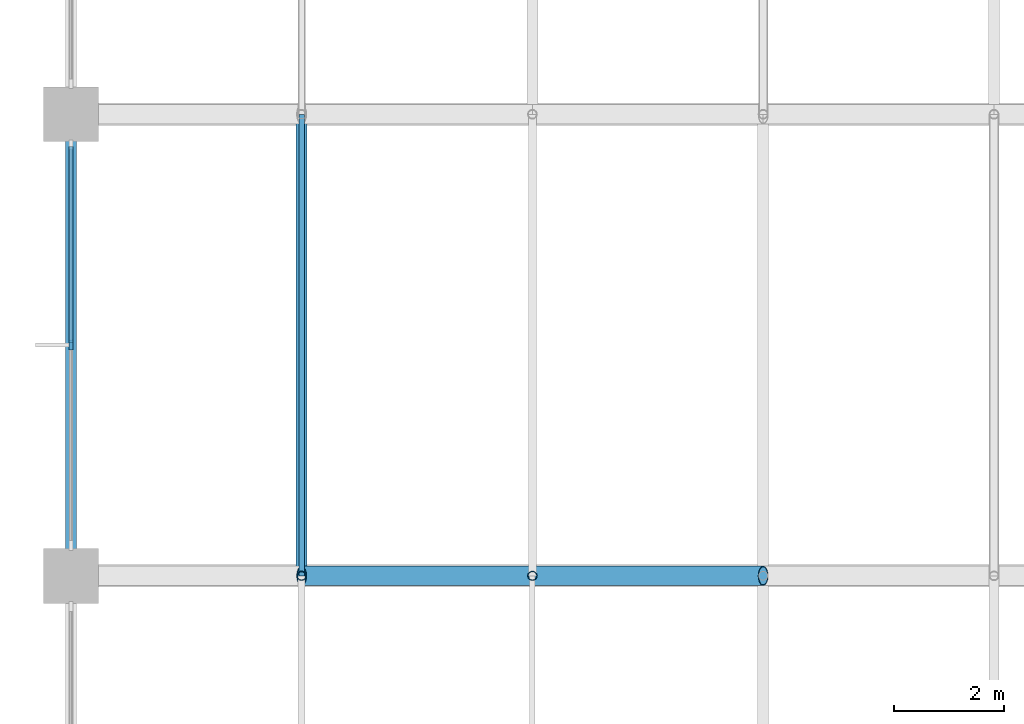
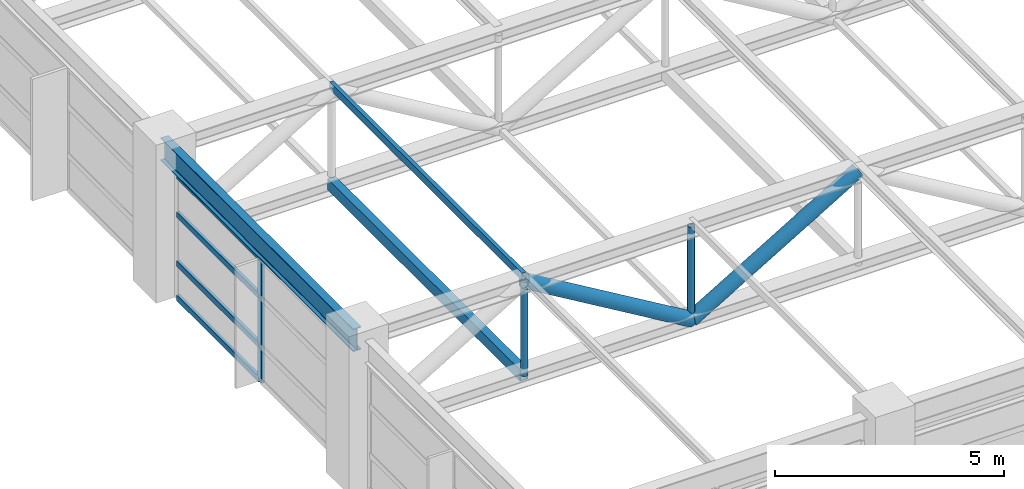
# One storey, part 7 of 32: 11 members, 1 beam, 1 element without a shape of its own.
"""IFC4 building model written with IfcOpenShell, lengths in metres."""

from ifc_helpers import new_model, si_unit, direction, frame, origin, origin_2d, place, context, subcontext, project, spatial, rectangle, hollow_rectangle, hollow_circle, i_section, extrude, material, material_profile, profile_set, type_object, element, aggregate, save


model = new_model("IFC4")

# Units and contexts
model_context = context("Model", 3, precision=1e-05, world=origin(), true_north=direction((0.0, 1.0)))
body_context = subcontext(model_context, "Body", "Model", "MODEL_VIEW")
ifc_project = project(units=[si_unit("LENGTHUNIT", "METRE"), si_unit("AREAUNIT", "SQUARE_METRE"), si_unit("VOLUMEUNIT", "CUBIC_METRE"), si_unit("PLANEANGLEUNIT", "RADIAN"), si_unit("MASSUNIT", "GRAM", prefix="KILO")], contexts=[model_context])

# Site, building, storey
site_placement = place(None, origin())
site = spatial("IfcSite", under=ifc_project, at=site_placement, CompositionType="ELEMENT")
building_placement = place(site_placement, origin())
building = spatial("IfcBuilding", under=site, at=building_placement, Name="Xuanlan Plaza Opera House", CompositionType="ELEMENT")
storey_placement = place(building_placement, frame((0.0, 0.0, 40.5)))
storey = spatial("IfcBuildingStorey", under=building, at=storey_placement, Name="L09", CompositionType="ELEMENT", Elevation=40.5)

# Curtain wall, members
ifc_material_1 = material(Name="Anodised Aluminium 6063-T6 and Low-E Glass", Category="aluminium")
curtain_wall_type = type_object("IfcCurtainWallType", Name="ENV-CW-CW-05", PredefinedType="USERDEFINED", material=ifc_material_1)
curtain_wall_placement = place(storey_placement, origin())
curtain_wall = element("IfcCurtainWall", 1, at=curtain_wall_placement, inside=storey, type_object=curtain_wall_type, Name="Acoustic Glazed Wall FLY-L09-13", ObjectType="ACOUSTIC GLAZED WALL", PredefinedType="USERDEFINED")
ifc_material_2 = material(Name="Anodised Aluminium 6063-T6", Category="aluminium")
ifc_material_profile_1 = material_profile(ifc_material_2, rectangle(XDim=0.070068359375, YDim=0.179931640625, at=origin_2d()), Name="ALU-M 70x180")
ifc_profile_set_1 = profile_set([ifc_material_profile_1], Name="Anodised Aluminium 6063-T6")
member_type_1 = type_object("IfcMemberType", Name="ENV-CWM-02", PredefinedType="MULLION", material=ifc_profile_set_1)
member_1_placement = place(storey_placement, frame((42.0, 54.60009765625, 0.0), z_axis=(0.0, 0.0, 1.0), x_axis=(1.0, 0.0, 0.0)))
member_1 = element("IfcMember", 2, at=member_1_placement, type_object=member_type_1, Name="CW-05 mullion 2", PredefinedType="MULLION", context=body_context, shape_type="SweptSolid", body=[
    extrude(rectangle(XDim=0.070068359375, YDim=0.179931640625, at=origin_2d()), origin(), (0.0, 0.0, 1.0), 3.320068359375),
])
ifc_material_profile_2 = material_profile(ifc_material_2, rectangle(XDim=0.074951171875, YDim=0.14990234375, at=origin_2d()), Name="ALU-T 75x150")
ifc_profile_set_2 = profile_set([ifc_material_profile_2], Name="Anodised Aluminium 6063-T6")
member_type_2 = type_object("IfcMemberType", Name="ENV-CWT-03", PredefinedType="USERDEFINED", material=ifc_profile_set_2)
member_2_placement = place(storey_placement, frame((42.0, 58.2099609375, 0.03759765625), z_axis=(0.0, -1.0, 0.0), x_axis=(1.0, 0.0, 0.0)))
member_2 = element("IfcMember", 3, at=member_2_placement, type_object=member_type_2, Name="CW-05 transom 1.1", ObjectType="TRANSOM", PredefinedType="USERDEFINED", context=body_context, shape_type="SweptSolid", body=[
    extrude(rectangle(XDim=0.074951171875, YDim=0.14990234375, at=origin_2d()), origin(), (0.0, 0.0, 1.0), 3.574951171875),
])
member_3_placement = place(storey_placement, frame((42.0, 58.2099609375, 0.949951171875), z_axis=(0.0, -1.0, 0.0), x_axis=(1.0, 0.0, 0.0)))
member_3 = element("IfcMember", 4, at=member_3_placement, type_object=member_type_2, Name="CW-05 transom 1.2", ObjectType="TRANSOM", PredefinedType="USERDEFINED", context=body_context, shape_type="SweptSolid", body=[
    extrude(rectangle(XDim=0.074951171875, YDim=0.14990234375, at=origin_2d()), origin(), (0.0, 0.0, 1.0), 3.574951171875),
])
member_4_placement = place(storey_placement, frame((42.0, 58.2099609375, 2.25), z_axis=(0.0, -1.0, 0.0), x_axis=(1.0, 0.0, 0.0)))
member_4 = element("IfcMember", 5, at=member_4_placement, type_object=member_type_2, Name="CW-05 transom 1.3", ObjectType="TRANSOM", PredefinedType="USERDEFINED", context=body_context, shape_type="SweptSolid", body=[
    extrude(rectangle(XDim=0.074951171875, YDim=0.14990234375, at=origin_2d()), origin(), (0.0, 0.0, 1.0), 3.574951171875),
])
member_5_placement = place(storey_placement, frame((42.0, 58.2099609375, 3.282470703125), z_axis=(0.0, -1.0, 0.0), x_axis=(1.0, 0.0, 0.0)))
member_5 = element("IfcMember", 6, at=member_5_placement, type_object=member_type_2, Name="CW-05 transom 1.4", ObjectType="TRANSOM", PredefinedType="USERDEFINED", context=body_context, shape_type="SweptSolid", body=[
    extrude(rectangle(XDim=0.074951171875, YDim=0.14990234375, at=origin_2d()), origin(), (0.0, 0.0, 1.0), 3.574951171875),
])
aggregate(curtain_wall, [member_1, member_2, member_3, member_4, member_5])

# Beam
ifc_material_3 = material(Name="Steel Q355B", Category="steel")
ifc_material_profile_3 = material_profile(ifc_material_3, i_section(OverallWidth=0.199951171875, OverallDepth=0.60009765625, WebThickness=0.010986328125, FlangeThickness=0.01708984375, FilletRadius=0.02197265625, at=origin_2d()), Name="HN 600x200x11x17")
ifc_profile_set_3 = profile_set([ifc_material_profile_3], Name="Steel Q355B")
beam_type = type_object("IfcBeamType", Name="STR-BM-SB-04", PredefinedType="BEAM", material=ifc_profile_set_3)
beam_placement = place(storey_placement, frame((42.0, 50.39990234375, 3.659912109375), z_axis=(0.0, 1.0, 0.0), x_axis=(-1.0, 0.0, 0.0)))
element("IfcBeam", 7, at=beam_placement, inside=storey, type_object=beam_type, Name="Fly Tower Ring Beam Y L09 6/G-H", PredefinedType="BEAM", context=body_context, shape_type="SweptSolid", body=[
    extrude(i_section(OverallWidth=0.199951171875, OverallDepth=0.60009765625, WebThickness=0.010986328125, FlangeThickness=0.01708984375, FilletRadius=0.02197265625, at=origin_2d()), origin(), (0.0, 0.0, 1.0), 8.400146484375),
])

# Members
ifc_material_profile_4 = material_profile(ifc_material_3, hollow_circle(Radius=0.177734375, WallThickness=0.01611328125, at=origin_2d()), Name="CHS 355.6x16")
ifc_profile_set_4 = profile_set([ifc_material_profile_4], Name="Steel Q355B")
member_type_3 = type_object("IfcMemberType", Name="STR-MEM-BR-02", PredefinedType="BRACE", material=ifc_profile_set_4)
member_6_placement = place(storey_placement, frame((46.199951171875, 50.39990234375, 3.751953125), z_axis=(0.859290270856, 0.0, -0.511488250512), x_axis=(0.0, 1.0, 0.0)))
element("IfcMember", 8, at=member_6_placement, inside=storey, type_object=member_type_3, Name="Stage Roof Truss STG-01 Web Diagonal 2", PredefinedType="BRACE", context=body_context, shape_type="SweptSolid", body=[
    extrude(hollow_circle(Radius=0.177734375, WallThickness=0.01611328125, at=origin_2d()), origin(), (0.0, 0.0, 1.0), 4.8876953125),
])
member_7_placement = place(storey_placement, frame((50.39990234375, 50.39990234375, 1.251953125), z_axis=(0.859303337952, 0.0, 0.511466297409), x_axis=(0.0, 1.0, 0.0)))
element("IfcMember", 9, at=member_7_placement, inside=storey, type_object=member_type_3, Name="Stage Roof Truss STG-01 Web Diagonal 3", PredefinedType="BRACE", context=body_context, shape_type="SweptSolid", body=[
    extrude(hollow_circle(Radius=0.177734375, WallThickness=0.01611328125, at=origin_2d()), origin(), (0.0, 0.0, 1.0), 4.887939453125),
])
ifc_material_profile_5 = material_profile(ifc_material_3, hollow_rectangle(XDim=0.199951171875, YDim=0.300048828125, WallThickness=0.011962890625, at=origin_2d()), Name="RHS 300x200x12")
ifc_profile_set_5 = profile_set([ifc_material_profile_5], Name="Steel Q355B")
member_type_4 = type_object("IfcMemberType", Name="STR-MEM-CL-M1", PredefinedType="COLLAR", material=ifc_profile_set_5)
member_8_placement = place(storey_placement, frame((46.199951171875, 50.39990234375, 1.251953125), z_axis=(0.0, 1.0, 0.0), x_axis=(-1.0, 0.0, 0.0)))
element("IfcMember", 10, at=member_8_placement, inside=storey, type_object=member_type_4, Name="Stage Truss Collar Tie 1-2", PredefinedType="COLLAR", context=body_context, shape_type="SweptSolid", body=[
    extrude(hollow_rectangle(XDim=0.199951171875, YDim=0.300048828125, WallThickness=0.011962890625, at=origin_2d()), origin(), (0.0, 0.0, 1.0), 8.400146484375),
])
ifc_material_profile_6 = material_profile(ifc_material_3, hollow_rectangle(XDim=0.10009765625, YDim=0.199951171875, WallThickness=0.008056640625, at=origin_2d()), Name="RHS 200x100x8")
ifc_profile_set_6 = profile_set([ifc_material_profile_6], Name="Steel Q355B")
member_type_5 = type_object("IfcMemberType", Name="STR-MEM-PR-02", PredefinedType="PURLIN", material=ifc_profile_set_6)
member_9_placement = place(storey_placement, frame((46.199951171875, 50.39990234375, 3.85888671875), z_axis=(0.0, 1.0, 0.0), x_axis=(-1.0, 0.0, 0.0)))
element("IfcMember", 11, at=member_9_placement, inside=storey, type_object=member_type_5, Name="Stage Gridiron Roof Purlin 2-2", PredefinedType="PURLIN", context=body_context, shape_type="SweptSolid", body=[
    extrude(hollow_rectangle(XDim=0.10009765625, YDim=0.199951171875, WallThickness=0.008056640625, at=origin_2d()), origin(), (0.0, 0.0, 1.0), 8.400146484375),
])
ifc_material_profile_7 = material_profile(ifc_material_3, hollow_circle(Radius=0.084228515625, WallThickness=0.008056640625, at=origin_2d()), Name="CHS 168.3x8")
ifc_profile_set_7 = profile_set([ifc_material_profile_7], Name="Steel Q355B")
member_type_6 = type_object("IfcMemberType", Name="STR-MEM-ST-M1", PredefinedType="STRUT", material=ifc_profile_set_7)
for number, where, z_axis, x_axis, name in (
    (12, (46.199951171875, 50.39990234375, 1.251953125), (0.0, 0.0, 1.0), (1.0, 0.0, 0.0), "Stage Roof Truss STG-01 Vertical Strut 1"),
    (13, (50.39990234375, 50.39990234375, 1.251953125), (0.0, 0.0, 1.0), (1.0, 0.0, 0.0), "Stage Roof Truss STG-01 Vertical Strut 2"),
):
    element("IfcMember", number, at=place(storey_placement, frame(where, z_axis=z_axis, x_axis=x_axis)), inside=storey, type_object=member_type_6, Name=name, PredefinedType="STRUT", context=body_context, shape_type="SweptSolid", body=[
        extrude(hollow_circle(Radius=0.084228515625, WallThickness=0.008056640625, at=origin_2d()), origin(), (0.0, 0.0, 1.0), 2.5),
    ])

save(model, "model.ifc")
